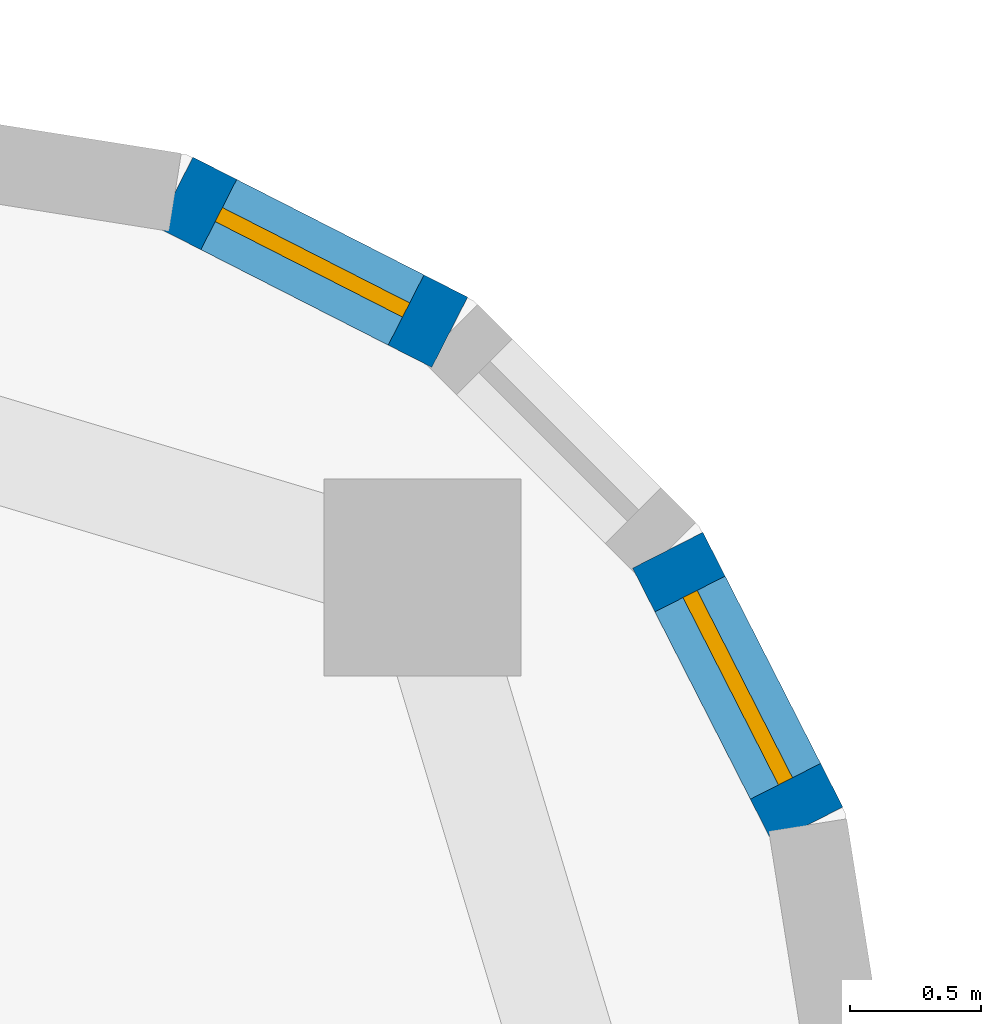
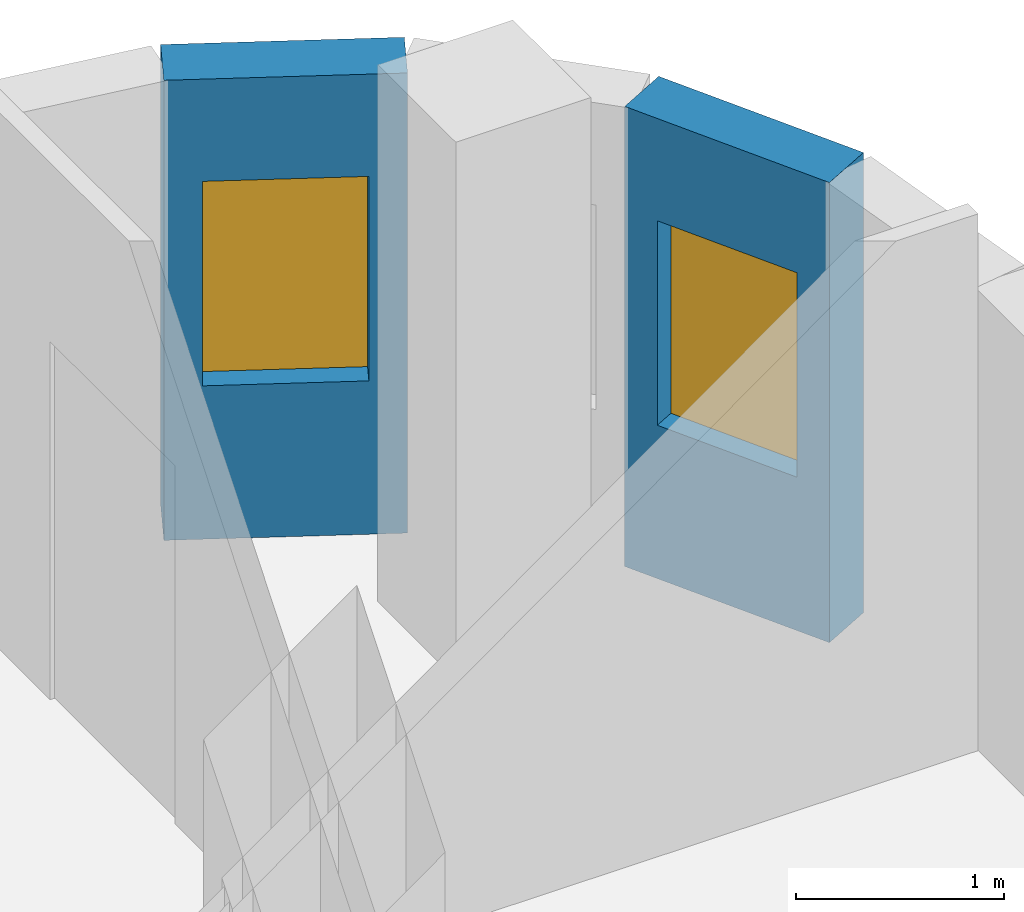
# One storey, part 9 of 13: 2 walls, 2 windows, 2 openings.
"""IFC4 building model written with IfcOpenShell, lengths in metres."""

from ifc_helpers import new_model, si_unit, direction, frame, frame_2d, origin, place, context, subcontext, project, spatial, rectangle, extrude, material, layer, layer_set, type_object, element, fill, save


model = new_model("IFC4")

# Units and contexts
model_context = context("Model", 3, precision=1e-05, world=origin(), true_north=direction((0.0, 1.0)))
body_context = subcontext(model_context, "Body", "Model", "MODEL_VIEW")
ifc_project = project(units=[si_unit("LENGTHUNIT", "METRE"), si_unit("AREAUNIT", "SQUARE_METRE"), si_unit("VOLUMEUNIT", "CUBIC_METRE"), si_unit("PLANEANGLEUNIT", "RADIAN"), si_unit("MASSUNIT", "GRAM", prefix="KILO")], contexts=[model_context])

# Site, building, storey
site_placement = place(None, origin())
site = spatial("IfcSite", under=ifc_project, at=site_placement, CompositionType="ELEMENT")
building_placement = place(site_placement, origin())
building = spatial("IfcBuilding", under=site, at=building_placement, Name="Ludao Terraces", CompositionType="ELEMENT")
storey_placement = place(building_placement, frame((0.0, 0.0, 162.199951171875)))
storey = spatial("IfcBuildingStorey", under=building, at=storey_placement, Name="L44", CompositionType="ELEMENT", Elevation=162.199951171875)

# Wall, opening, window
ifc_material_1 = material(Name="Granite cladding", Category="masonry")
ifc_layer_1 = layer(ifc_material_1, 0.0400390625, Category="stone")
ifc_material_2 = material(Name="Mineral wool")
ifc_layer_2 = layer(ifc_material_2, 0.06005859375)
ifc_material_3 = material(Name="Concrete C40", Category="concrete")
ifc_layer_3 = layer(ifc_material_3, 0.199951171875, Category="concrete")
ifc_layer_set_1 = layer_set([ifc_layer_1, ifc_layer_2, ifc_layer_3], Name="ENV Stone-clad wall 300")
wall_type = type_object("IfcWallType", Name="ENV Stone-clad wall 300", PredefinedType="SOLIDWALL", material=ifc_layer_set_1)
wall_1_placement = place(storey_placement, frame((104.16650390625, 81.7587890625, 0.0), z_axis=(0.0, 0.0, 1.0), x_axis=(-0.454025524128, 0.890988677504, 0.0)))
wall_1 = element("IfcWall", 1, at=wall_1_placement, inside=storey, type_object=wall_type, Name="EW-L44-NE2", PredefinedType="SOLIDWALL", context=body_context, shape_type="SweptSolid", body=[
    extrude(rectangle(XDim=1.17333984375, YDim=0.300048828125, at=frame_2d((0.586669921875, 0.0))), origin(), (0.0, 0.0, 1.0), 2.699951171875),
])
opening_1_placement = place(wall_1_placement, frame((0.1865234375, 0.0, 0.89990234375)))
opening_1 = element("IfcOpeningElement", 2, at=opening_1_placement, cuts=wall_1, Name="Opening W3", PredefinedType="OPENING", context=body_context, shape_type="SweptSolid", body=[
    extrude(rectangle(XDim=0.800048828125, YDim=1.199951171875, at=frame_2d((0.39990234375, 0.60009765625))), frame((0.0, 0.16015625, 0.0), z_axis=(0.0, -1.0, 0.0), x_axis=(1.0, 0.0, 0.0)), (0.0, 0.0, 1.0), 0.320068359375),
])
ifc_material_4 = material(Name="Clear glass in aluminium frame", Category="aluminium")
ifc_layer_4 = layer(ifc_material_4, 0.06005859375)
ifc_layer_set_2 = layer_set([ifc_layer_4], Name="ENV Window W3 800x1200")
window_type = type_object("IfcWindowType", Name="ENV Window W3 800x1200", PartitioningType="SINGLE_PANEL", PredefinedType="WINDOW", material=ifc_layer_set_2)
window_1_placement = place(opening_1_placement, origin())
window_1 = element("IfcWindow", 3, at=window_1_placement, inside=storey, type_object=window_type, Name="W-L44-NE2", OverallHeight=1.199951171875, OverallWidth=0.800048828125, PartitioningType="SINGLE_PANEL", PredefinedType="WINDOW", context=body_context, shape_type="SweptSolid", body=[
    extrude(rectangle(XDim=0.800048828125, YDim=1.199951171875, at=frame_2d((0.39990234375, 0.60009765625))), frame((0.0, 0.030029296875, 0.0), z_axis=(0.0, -1.0, 0.0), x_axis=(1.0, 0.0, 0.0)), (0.0, 0.0, 1.0), 0.06005859375),
])
fill(opening_1, window_1)

wall_2_placement = place(storey_placement, frame((102.80419921875, 83.6337890625, 0.0), z_axis=(0.0, 0.0, 1.0), x_axis=(-0.890988677504, 0.454025524128, 0.0)))
wall_2 = element("IfcWall", 4, at=wall_2_placement, inside=storey, type_object=wall_type, Name="EW-L44-NE4", PredefinedType="SOLIDWALL", context=body_context, shape_type="SweptSolid", body=[
    extrude(rectangle(XDim=1.17333984375, YDim=0.300048828125, at=frame_2d((0.586669921875, 0.0))), origin(), (0.0, 0.0, 1.0), 2.699951171875),
])
opening_2_placement = place(wall_2_placement, frame((0.1865234375, 0.0, 0.89990234375)))
opening_2 = element("IfcOpeningElement", 5, at=opening_2_placement, cuts=wall_2, Name="Opening W3", PredefinedType="OPENING", context=body_context, shape_type="SweptSolid", body=[
    extrude(rectangle(XDim=0.800048828125, YDim=1.199951171875, at=frame_2d((0.39990234375, 0.60009765625))), frame((0.0, 0.16015625, 0.0), z_axis=(0.0, -1.0, 0.0), x_axis=(1.0, 0.0, 0.0)), (0.0, 0.0, 1.0), 0.320068359375),
])
window_2_placement = place(opening_2_placement, origin())
window_2 = element("IfcWindow", 6, at=window_2_placement, inside=storey, type_object=window_type, Name="W-L44-NE4", OverallHeight=1.199951171875, OverallWidth=0.800048828125, PartitioningType="SINGLE_PANEL", PredefinedType="WINDOW", context=body_context, shape_type="SweptSolid", body=[
    extrude(rectangle(XDim=0.800048828125, YDim=1.199951171875, at=frame_2d((0.39990234375, 0.60009765625))), frame((0.0, 0.030029296875, 0.0), z_axis=(0.0, -1.0, 0.0), x_axis=(1.0, 0.0, 0.0)), (0.0, 0.0, 1.0), 0.06005859375),
])
fill(opening_2, window_2)

save(model, "model.ifc")
